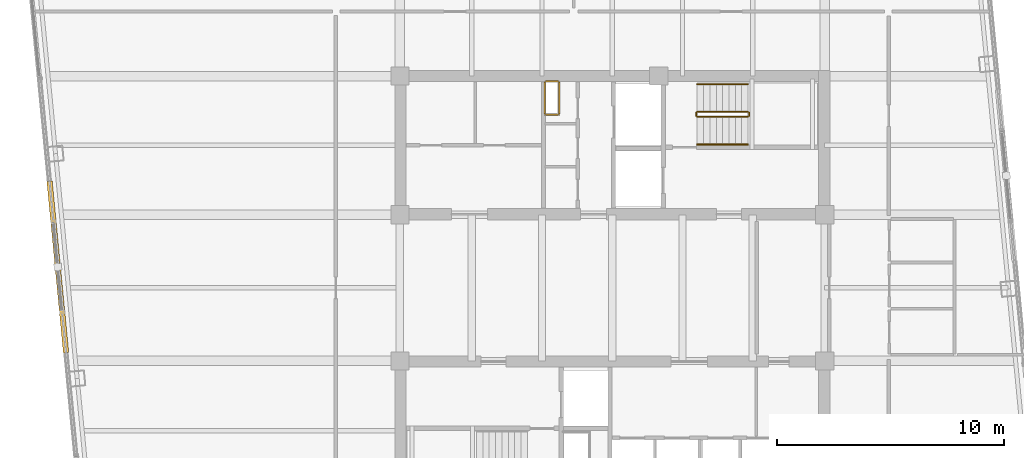
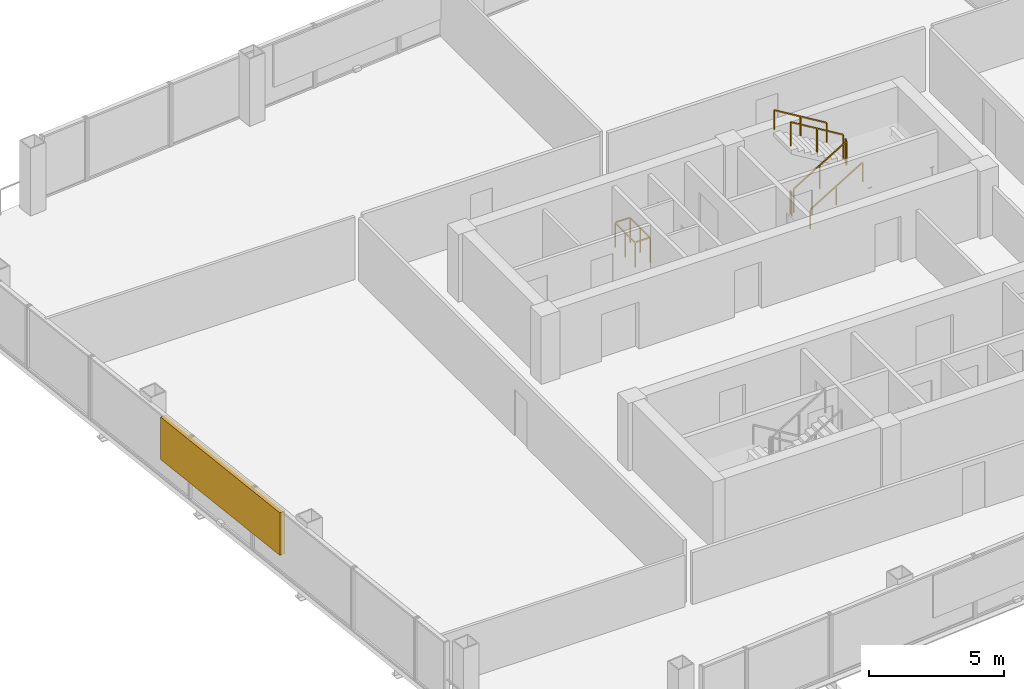
# One storey, part 20 of 21: 7 railings, 1 shading device.
"""IFC4 building model written with IfcOpenShell, lengths in metres."""

from ifc_helpers import new_model, si_unit, direction, frame, origin, origin_2d, place, context, subcontext, project, spatial, rectangle, extrude, material, type_object, element, save


model = new_model("IFC4")

# Units and contexts
model_context = context("Model", 3, precision=1e-05, world=origin(), true_north=direction((0.0, 1.0)))
body_context = subcontext(model_context, "Body", "Model", "MODEL_VIEW")
ifc_project = project(units=[si_unit("LENGTHUNIT", "METRE"), si_unit("AREAUNIT", "SQUARE_METRE"), si_unit("VOLUMEUNIT", "CUBIC_METRE"), si_unit("PLANEANGLEUNIT", "RADIAN"), si_unit("MASSUNIT", "GRAM", prefix="KILO")], contexts=[model_context])

# Site, building, storey
site_placement = place(None, origin())
site = spatial("IfcSite", under=ifc_project, at=site_placement, CompositionType="ELEMENT")
building_placement = place(site_placement, origin())
building = spatial("IfcBuilding", under=site, at=building_placement, Name="Qhalaya Broadcast Tower", CompositionType="ELEMENT")
storey_placement = place(building_placement, frame((0.0, 0.0, 162.25)))
storey = spatial("IfcBuildingStorey", under=building, at=storey_placement, Name="L47", CompositionType="ELEMENT", Elevation=162.25)

# Railings
ifc_material_1 = material(Name="Powder-Coated Galvanised Steel", Category="steel")
railing_type_1 = type_object("IfcRailingType", Name="Stair Wall Handrail 900", PredefinedType="HANDRAIL", material=ifc_material_1)
railing_1_placement = place(storey_placement, frame((3.75, 6.929931640625, 0.16943359375)))
element("IfcRailing", 1, at=railing_1_placement, inside=storey, type_object=railing_type_1, Name="L47 ST-1 Stair Handrail 1", PredefinedType="HANDRAIL", context=body_context, shape_type="SweptSolid", body=[
    extrude(rectangle(XDim=0.048095703125, YDim=0.048095703125, at=origin_2d()), frame((0.0, 0.0, 0.8759765625), z_axis=(0.855553338991, 0.0, 0.51771467445), x_axis=(0.0, 1.0, 0.0)), (0.0, 0.0, 1.0), 2.6181640625),
    extrude(rectangle(XDim=0.0419921875, YDim=0.0419921875, at=origin_2d()), origin(), (0.0, 0.0, 1.0), 0.849853515625),
    extrude(rectangle(XDim=0.0419921875, YDim=0.0419921875, at=origin_2d()), frame((1.1201171875, 0.0, 0.677734375)), (0.0, 0.0, 1.0), 0.849853515625),
    extrude(rectangle(XDim=0.0419921875, YDim=0.0419921875, at=origin_2d()), frame((2.239990234375, 0.0, 1.35546875)), (0.0, 0.0, 1.0), 0.849853515625),
])
railing_2_placement = place(storey_placement, frame((5.989990234375, 9.590087890625, 1.6943359375)))
element("IfcRailing", 2, at=railing_2_placement, inside=storey, type_object=railing_type_1, Name="L47 ST-1 Stair Handrail 2", PredefinedType="HANDRAIL", context=body_context, shape_type="SweptSolid", body=[
    extrude(rectangle(XDim=0.048095703125, YDim=0.048095703125, at=origin_2d()), frame((0.0, 0.0, 0.8759765625), z_axis=(-0.855512035549, 0.0, 0.517782924622), x_axis=(0.0, -1.0, 0.0)), (0.0, 0.0, 1.0), 2.618408203125),
    extrude(rectangle(XDim=0.0419921875, YDim=0.0419921875, at=origin_2d()), origin(), (0.0, 0.0, 1.0), 0.849853515625),
    extrude(rectangle(XDim=0.0419921875, YDim=0.0419921875, at=origin_2d()), frame((-1.1201171875, 0.0, 0.677734375)), (0.0, 0.0, 1.0), 0.849853515625),
    extrude(rectangle(XDim=0.0419921875, YDim=0.0419921875, at=origin_2d()), frame((-2.239990234375, 0.0, 1.355712890625)), (0.0, 0.0, 1.0), 0.849853515625),
])
railing_type_2 = type_object("IfcRailingType", Name="Stair Well & Landing Guardrail 1100", PredefinedType="GUARDRAIL", material=ifc_material_1)
railing_3_placement = place(storey_placement, frame((-2.340087890625, 8.239990234375, 0.0)))
element("IfcRailing", 3, at=railing_3_placement, inside=storey, type_object=railing_type_2, Name="L47 Service Riser Opening Safety Guard NRSR", PredefinedType="GUARDRAIL", context=body_context, shape_type="SweptSolid", body=[
    extrude(rectangle(XDim=0.048095703125, YDim=0.048095703125, at=origin_2d()), frame((0.0, 0.02880859375, 1.1259765625), z_axis=(0.0, 1.0, 0.0), x_axis=(-1.0, 0.0, 0.0)), (0.0, 0.0, 1.0), 1.42236328125),
    extrude(rectangle(XDim=0.048095703125, YDim=0.048095703125, at=origin_2d()), frame((-0.02880859375, 1.47998046875, 1.1259765625), z_axis=(-1.0, 0.0, 0.0), x_axis=(0.0, -1.0, 0.0)), (0.0, 0.0, 1.0), 0.582275390625),
    extrude(rectangle(XDim=0.048095703125, YDim=0.048095703125, at=origin_2d()), frame((-0.639892578125, 1.451171875, 1.1259765625), z_axis=(0.0, -1.0, 0.0), x_axis=(1.0, 0.0, 0.0)), (0.0, 0.0, 1.0), 1.42236328125),
    extrude(rectangle(XDim=0.048095703125, YDim=0.048095703125, at=origin_2d()), frame((-0.611083984375, 0.0, 1.1259765625), z_axis=(1.0, 0.0, 0.0), x_axis=(0.0, 1.0, 0.0)), (0.0, 0.0, 1.0), 0.582275390625),
    extrude(rectangle(XDim=0.0419921875, YDim=0.0419921875, at=origin_2d()), origin(), (0.0, 0.0, 1.0), 1.099853515625),
    extrude(rectangle(XDim=0.0419921875, YDim=0.0419921875, at=origin_2d()), frame((0.0, 0.739990234375, 0.0)), (0.0, 0.0, 1.0), 1.099853515625),
    extrude(rectangle(XDim=0.0419921875, YDim=0.0419921875, at=origin_2d()), frame((0.0, 1.47998046875, 0.0)), (0.0, 0.0, 1.0), 1.099853515625),
    extrude(rectangle(XDim=0.0419921875, YDim=0.0419921875, at=origin_2d()), frame((-0.639892578125, 1.47998046875, 0.0)), (0.0, 0.0, 1.0), 1.099853515625),
    extrude(rectangle(XDim=0.0419921875, YDim=0.0419921875, at=origin_2d()), frame((-0.639892578125, 0.739990234375, 0.0)), (0.0, 0.0, 1.0), 1.099853515625),
    extrude(rectangle(XDim=0.0419921875, YDim=0.0419921875, at=origin_2d()), frame((-0.639892578125, 0.0, 0.0)), (0.0, 0.0, 1.0), 1.099853515625),
])
railing_4_placement = place(storey_placement, frame((3.75, 8.14990234375, 0.16943359375)))
element("IfcRailing", 4, at=railing_4_placement, inside=storey, type_object=railing_type_2, Name="L47 ST-1 Stair Guard 1", PredefinedType="GUARDRAIL", context=body_context, shape_type="SweptSolid", body=[
    extrude(rectangle(XDim=0.048095703125, YDim=0.048095703125, at=origin_2d()), frame((0.0, 0.0, 1.076171875), z_axis=(0.855553338991, 0.0, 0.51771467445), x_axis=(0.0, 1.0, 0.0)), (0.0, 0.0, 1.0), 2.6181640625),
    extrude(rectangle(XDim=0.0419921875, YDim=0.0419921875, at=origin_2d()), origin(), (0.0, 0.0, 1.0), 1.050048828125),
    extrude(rectangle(XDim=0.0419921875, YDim=0.0419921875, at=origin_2d()), frame((1.1201171875, 0.0, 0.677734375)), (0.0, 0.0, 1.0), 1.050048828125),
    extrude(rectangle(XDim=0.0419921875, YDim=0.0419921875, at=origin_2d()), frame((2.239990234375, 0.0, 1.35546875)), (0.0, 0.0, 1.0), 1.050048828125),
])
railing_5_placement = place(storey_placement, frame((6.0400390625, 8.199951171875, 1.52490234375)))
element("IfcRailing", 5, at=railing_5_placement, inside=storey, type_object=railing_type_2, Name="L47 ST-1 Stair Guard 2", PredefinedType="GUARDRAIL", context=body_context, shape_type="SweptSolid", body=[
    extrude(rectangle(XDim=0.048095703125, YDim=0.048095703125, at=origin_2d()), frame((0.0, 0.0, 1.076171875), z_axis=(0.0, 1.0, 0.0), x_axis=(-1.0, 0.0, 0.0)), (0.0, 0.0, 1.0), 0.1201171875),
    extrude(rectangle(XDim=0.0419921875, YDim=0.0419921875, at=origin_2d()), origin(), (0.0, 0.0, 1.0), 1.050048828125),
    extrude(rectangle(XDim=0.0419921875, YDim=0.0419921875, at=origin_2d()), frame((0.0, 0.1201171875, 0.0)), (0.0, 0.0, 1.0), 1.050048828125),
])
railing_6_placement = place(storey_placement, frame((5.989990234375, 8.3701171875, 1.6943359375)))
element("IfcRailing", 6, at=railing_6_placement, inside=storey, type_object=railing_type_2, Name="L47 ST-1 Stair Guard 3", PredefinedType="GUARDRAIL", context=body_context, shape_type="SweptSolid", body=[
    extrude(rectangle(XDim=0.048095703125, YDim=0.048095703125, at=origin_2d()), frame((0.0, 0.0, 1.076171875), z_axis=(-0.855512035549, 0.0, 0.517782924622), x_axis=(0.0, -1.0, 0.0)), (0.0, 0.0, 1.0), 2.618408203125),
    extrude(rectangle(XDim=0.0419921875, YDim=0.0419921875, at=origin_2d()), origin(), (0.0, 0.0, 1.0), 1.050048828125),
    extrude(rectangle(XDim=0.0419921875, YDim=0.0419921875, at=origin_2d()), frame((-1.1201171875, 0.0, 0.677734375)), (0.0, 0.0, 1.0), 1.050048828125),
    extrude(rectangle(XDim=0.0419921875, YDim=0.0419921875, at=origin_2d()), frame((-2.239990234375, 0.0, 1.355712890625)), (0.0, 0.0, 1.0), 1.050048828125),
])
railing_7_placement = place(storey_placement, frame((3.699951171875, 8.199951171875, 0.0)))
element("IfcRailing", 7, at=railing_7_placement, inside=storey, type_object=railing_type_2, Name="L47 ST-1 Stair Guard 4", PredefinedType="GUARDRAIL", context=body_context, shape_type="SweptSolid", body=[
    extrude(rectangle(XDim=0.048095703125, YDim=0.048095703125, at=origin_2d()), frame((0.0, 0.0, 1.076171875), z_axis=(0.0, 1.0, 0.0), x_axis=(-1.0, 0.0, 0.0)), (0.0, 0.0, 1.0), 0.1201171875),
    extrude(rectangle(XDim=0.0419921875, YDim=0.0419921875, at=origin_2d()), origin(), (0.0, 0.0, 1.0), 1.050048828125),
    extrude(rectangle(XDim=0.0419921875, YDim=0.0419921875, at=origin_2d()), frame((0.0, 0.1201171875, 0.0)), (0.0, 0.0, 1.0), 1.050048828125),
])

# Shading device
ifc_material_2 = material(Name="Fired Architectural Terracotta", Category="masonry")
shading_device_type = type_object("IfcShadingDeviceType", Name="Terracotta Baguette Solar Screen Assembly TBS-01", PredefinedType="USERDEFINED", material=ifc_material_2)
shading_device_placement = place(storey_placement, frame((-24.47314453125, 1.5244140625, 0.79248046875), z_axis=(0.0, 0.0, 1.0), x_axis=(0.09584575252, -0.995396198367, 0.0)))
element("IfcShadingDevice", 8, at=shading_device_placement, inside=storey, type_object=shading_device_type, Name="L47 Fired Terracotta Baguette Screen W", ObjectType="BAGUETTE", PredefinedType="USERDEFINED", context=body_context, shape_type="SweptSolid", body=[
    extrude(rectangle(XDim=7.60009765625, YDim=0.239990234375, at=origin_2d()), origin(), (0.0, 0.0, 1.0), 1.924072265625),
])

save(model, "model.ifc")
